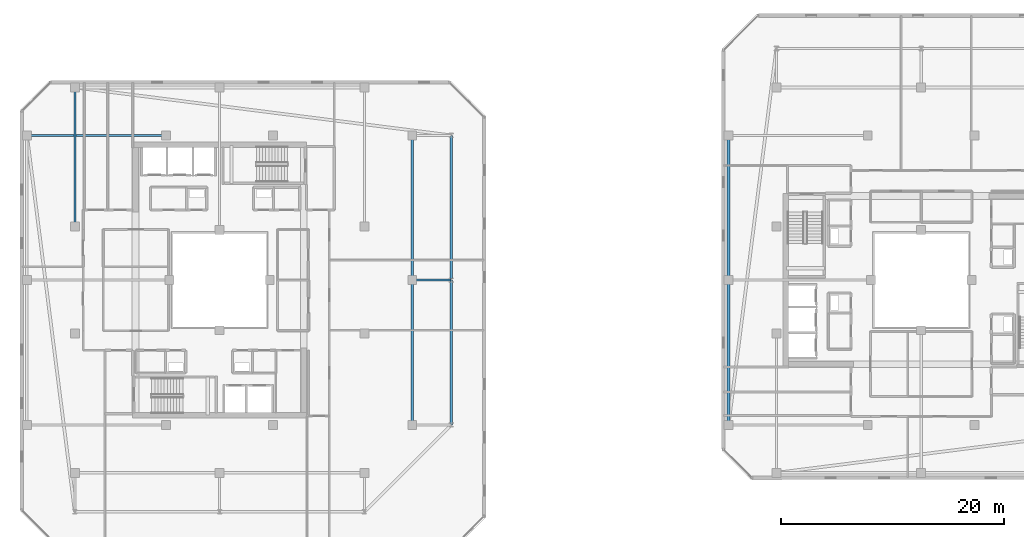
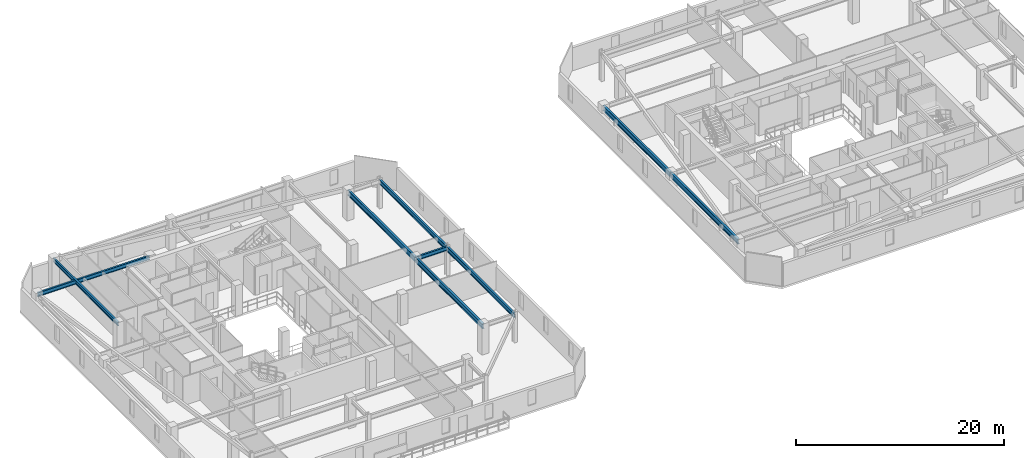
# One storey, part 9 of 35: 9 beams.
"""IFC4 building model written with IfcOpenShell, lengths in metres."""

from ifc_helpers import new_model, si_unit, direction, frame, origin, origin_2d, place, context, subcontext, project, spatial, i_section, extrude, material, material_profile, profile_set, type_object, element, save


model = new_model("IFC4")

# Units and contexts
model_context = context("Model", 3, precision=1e-05, world=origin(), true_north=direction((0.0, 1.0)))
body_context = subcontext(model_context, "Body", "Model", "MODEL_VIEW")
ifc_project = project(units=[si_unit("LENGTHUNIT", "METRE"), si_unit("AREAUNIT", "SQUARE_METRE"), si_unit("VOLUMEUNIT", "CUBIC_METRE"), si_unit("PLANEANGLEUNIT", "RADIAN"), si_unit("MASSUNIT", "GRAM", prefix="KILO")], contexts=[model_context])

# Site, building, storey
site_placement = place(None, origin())
site = spatial("IfcSite", under=ifc_project, at=site_placement, CompositionType="ELEMENT")
building_placement = place(site_placement, origin())
building = spatial("IfcBuilding", under=site, at=building_placement, Name="Thornwick Lancets Civic Towers", CompositionType="ELEMENT")
storey_placement = place(building_placement, frame((0.0, 0.0, 269.10009765625)))
storey = spatial("IfcBuildingStorey", under=building, at=storey_placement, Name="L72", CompositionType="ELEMENT", Elevation=269.10009765625)

# Beams
ifc_material = material(Name="Steel S355JR", Category="steel")
ifc_material_profile_1 = material_profile(ifc_material, i_section(OverallWidth=0.210693359375, OverallDepth=0.53955078125, WebThickness=0.01171875, FlangeThickness=0.018798828125, FilletRadius=0.0126953125, at=origin_2d()), Name="UKB 533x210x109")
ifc_profile_set_1 = profile_set([ifc_material_profile_1], Name="Steel S355JR")
beam_type_1 = type_object("IfcBeamType", Name="BM_EDGE_533_109", PredefinedType="SPANDREL", material=ifc_profile_set_1)
beam_1_placement = place(storey_placement, frame((46.300048828125, 14.0, 3.090087890625), z_axis=(0.0, 1.0, 0.0), x_axis=(-1.0, 0.0, 0.0)))
element("IfcBeam", 1, at=beam_1_placement, inside=storey, type_object=beam_type_1, Name="BM-EDGE-L72-A-S1-1", PredefinedType="SPANDREL", context=body_context, shape_type="SweptSolid", body=[
    extrude(i_section(OverallWidth=0.210693359375, OverallDepth=0.53955078125, WebThickness=0.01171875, FlangeThickness=0.018798828125, FilletRadius=0.0126953125, at=origin_2d()), origin(), (0.0, 0.0, 1.0), 13.0),
])
beam_2_placement = place(storey_placement, frame((46.300048828125, 27.080078125, 3.090087890625), z_axis=(0.0, 1.0, 0.0), x_axis=(-1.0, 0.0, 0.0)))
element("IfcBeam", 2, at=beam_2_placement, inside=storey, type_object=beam_type_1, Name="BM-EDGE-L72-A-S1-2", PredefinedType="SPANDREL", context=body_context, shape_type="SweptSolid", body=[
    extrude(i_section(OverallWidth=0.210693359375, OverallDepth=0.53955078125, WebThickness=0.01171875, FlangeThickness=0.018798828125, FilletRadius=0.0126953125, at=origin_2d()), origin(), (0.0, 0.0, 1.0), 12.919921875),
])
ifc_material_profile_2 = material_profile(ifc_material, i_section(OverallWidth=0.230224609375, OverallDepth=0.6171875, WebThickness=0.01318359375, FlangeThickness=0.022216796875, FilletRadius=0.0126953125, at=origin_2d()), Name="UKB 610x229x140")
ifc_profile_set_2 = profile_set([ifc_material_profile_2], Name="Steel S355JR")
beam_type_2 = type_object("IfcBeamType", Name="BM_GIRD_610_140", PredefinedType="BEAM", material=ifc_profile_set_2)
beam_3_placement = place(storey_placement, frame((42.800048828125, 14.0, 3.05126953125), z_axis=(0.0, 1.0, 0.0), x_axis=(-1.0, 0.0, 0.0)))
element("IfcBeam", 3, at=beam_3_placement, inside=storey, type_object=beam_type_2, Name="BM-SPINE-L72-A-3-4", PredefinedType="BEAM", context=body_context, shape_type="SweptSolid", body=[
    extrude(i_section(OverallWidth=0.230224609375, OverallDepth=0.6171875, WebThickness=0.01318359375, FlangeThickness=0.022216796875, FilletRadius=0.0126953125, at=origin_2d()), origin(), (0.0, 0.0, 1.0), 13.0),
])
beam_4_placement = place(storey_placement, frame((42.800048828125, 27.080078125, 3.05126953125), z_axis=(0.0, 1.0, 0.0), x_axis=(-1.0, 0.0, 0.0)))
element("IfcBeam", 4, at=beam_4_placement, inside=storey, type_object=beam_type_2, Name="BM-SPINE-L72-A-4-5", PredefinedType="BEAM", context=body_context, shape_type="SweptSolid", body=[
    extrude(i_section(OverallWidth=0.230224609375, OverallDepth=0.6171875, WebThickness=0.01318359375, FlangeThickness=0.022216796875, FilletRadius=0.0126953125, at=origin_2d()), origin(), (0.0, 0.0, 1.0), 12.919921875),
])
beam_5_placement = place(storey_placement, frame((71.199951171875, 14.0, 3.05126953125), z_axis=(0.0, 1.0, 0.0), x_axis=(-1.0, 0.0, 0.0)))
element("IfcBeam", 5, at=beam_5_placement, inside=storey, type_object=beam_type_2, Name="BM-SPINE-L72-B-6-7", PredefinedType="BEAM", context=body_context, shape_type="SweptSolid", body=[
    extrude(i_section(OverallWidth=0.230224609375, OverallDepth=0.6171875, WebThickness=0.01318359375, FlangeThickness=0.022216796875, FilletRadius=0.0126953125, at=origin_2d()), origin(), (0.0, 0.0, 1.0), 13.0),
])
beam_6_placement = place(storey_placement, frame((71.199951171875, 27.080078125, 3.05126953125), z_axis=(0.0, 1.0, 0.0), x_axis=(-1.0, 0.0, 0.0)))
element("IfcBeam", 6, at=beam_6_placement, inside=storey, type_object=beam_type_2, Name="BM-SPINE-L72-B-7-8", PredefinedType="BEAM", context=body_context, shape_type="SweptSolid", body=[
    extrude(i_section(OverallWidth=0.230224609375, OverallDepth=0.6171875, WebThickness=0.01318359375, FlangeThickness=0.022216796875, FilletRadius=0.0126953125, at=origin_2d()), origin(), (0.0, 0.0, 1.0), 12.919921875),
])
ifc_material_profile_3 = material_profile(ifc_material, i_section(OverallWidth=0.19287109375, OverallDepth=0.46728515625, WebThickness=0.011474609375, FlangeThickness=0.01953125, FilletRadius=0.01025390625, at=origin_2d()), Name="UKB 457x191x98")
ifc_profile_set_3 = profile_set([ifc_material_profile_3], Name="Steel S355JR")
beam_type_3 = type_object("IfcBeamType", Name="BM_JOIST_457_98", PredefinedType="JOIST", material=ifc_profile_set_3)
beam_7_placement = place(storey_placement, frame((42.800048828125, 27.0, 3.126220703125), z_axis=(1.0, 0.0, 0.0), x_axis=(0.0, 1.0, 0.0)))
element("IfcBeam", 7, at=beam_7_placement, inside=storey, type_object=beam_type_3, Name="BM-RAD-L72-A05", PredefinedType="JOIST", context=body_context, shape_type="SweptSolid", body=[
    extrude(i_section(OverallWidth=0.19287109375, OverallDepth=0.46728515625, WebThickness=0.011474609375, FlangeThickness=0.01953125, FilletRadius=0.01025390625, at=origin_2d()), origin(), (0.0, 0.0, 1.0), 3.5),
])
for number, where, z_axis, x_axis, name in (
    (8, (12.5, 31.800048828125, 3.126220703125), (0.0, 1.0, 0.0), (-1.0, 0.0, 0.0), "BM-RADIN-L72-A07"),
    (9, (20.699951171875, 40.0, 3.126220703125), (-1.0, 0.0, 0.0), (0.0, -1.0, 0.0), "BM-RADIN-L72-A12"),
):
    element("IfcBeam", number, at=place(storey_placement, frame(where, z_axis=z_axis, x_axis=x_axis)), inside=storey, type_object=beam_type_3, Name=name, PredefinedType="JOIST", context=body_context, shape_type="SweptSolid", body=[
        extrude(i_section(OverallWidth=0.19287109375, OverallDepth=0.46728515625, WebThickness=0.011474609375, FlangeThickness=0.01953125, FilletRadius=0.01025390625, at=origin_2d()), origin(), (0.0, 0.0, 1.0), 12.5),
    ])

save(model, "model.ifc")
